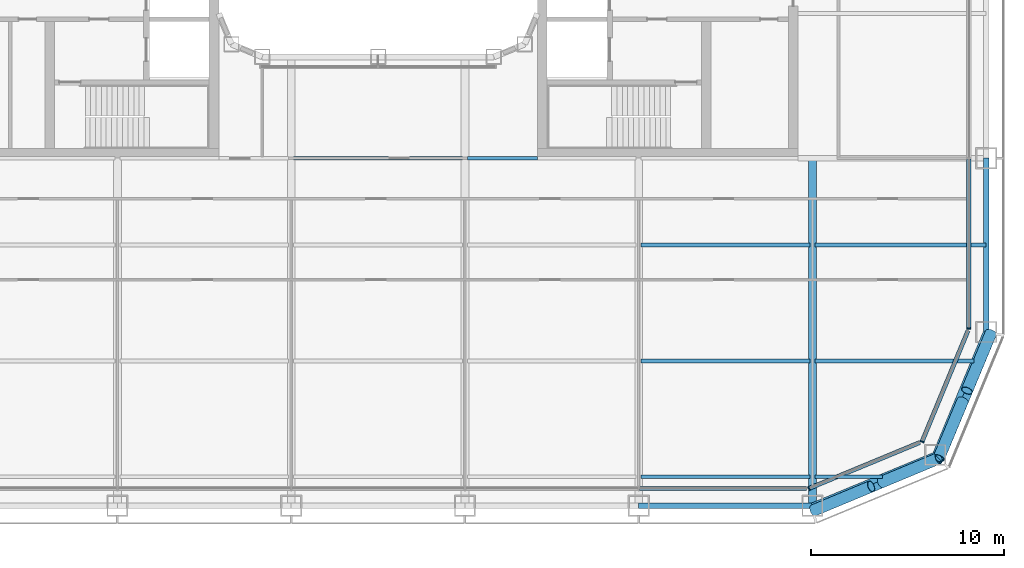
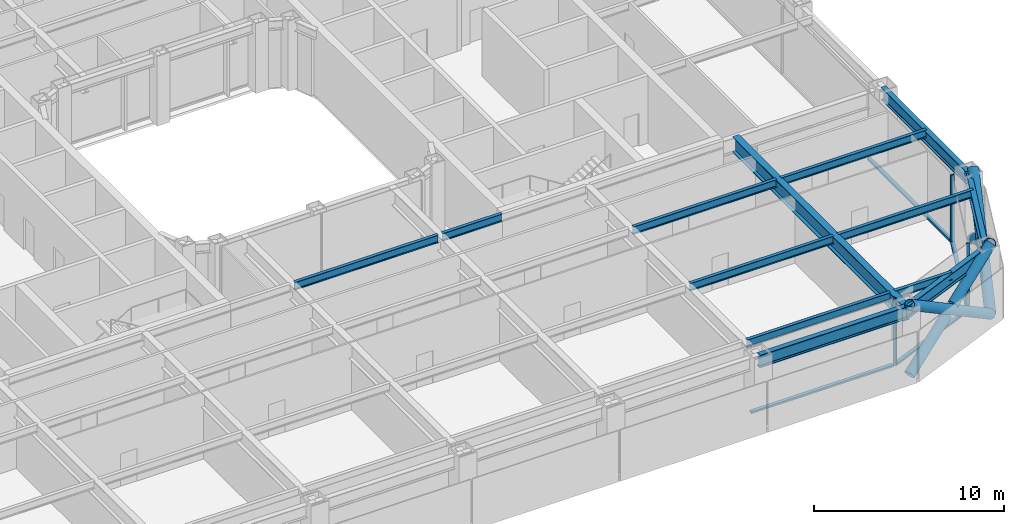
# One storey, part 4 of 24: 13 beams, 13 members, 4 elements without a shape of their own.
"""IFC4 building model written with IfcOpenShell, lengths in metres."""

from ifc_helpers import new_model, si_unit, direction, frame, origin, origin_2d, place, context, subcontext, project, spatial, rectangle, hollow_circle, i_section, extrude, material, layer, layer_set, material_profile, profile_set, type_object, element, aggregate, save


model = new_model("IFC4")

# Units and contexts
model_context = context("Model", 3, precision=1e-05, world=origin(), true_north=direction((0.0, 1.0)))
body_context = subcontext(model_context, "Body", "Model", "MODEL_VIEW")
ifc_project = project(units=[si_unit("LENGTHUNIT", "METRE"), si_unit("AREAUNIT", "SQUARE_METRE"), si_unit("VOLUMEUNIT", "CUBIC_METRE"), si_unit("PLANEANGLEUNIT", "RADIAN"), si_unit("MASSUNIT", "GRAM", prefix="KILO")], contexts=[model_context])

# Site, building, storey
site_placement = place(None, origin())
site = spatial("IfcSite", under=ifc_project, at=site_placement, CompositionType="ELEMENT")
building_placement = place(site_placement, origin())
building = spatial("IfcBuilding", under=site, at=building_placement, Name="Siwar Civic Tower", CompositionType="ELEMENT")
storey_placement = place(building_placement, frame((0.0, 0.0, 22.199951171875)))
storey = spatial("IfcBuildingStorey", under=building, at=storey_placement, Name="L04", CompositionType="ELEMENT", Elevation=22.199951171875)

# Curtain wall, member
ifc_material_1 = material(Name="Aluminium clad insulated panel", Category="aluminium")
ifc_layer_1 = layer(ifc_material_1, 0.219970703125)
ifc_layer_set_1 = layer_set([ifc_layer_1], Name="Aluminium clad insulated panel")
curtain_wall_type_1 = type_object("IfcCurtainWallType", Name="ENV-CW-AX", PredefinedType="NOTDEFINED", material=ifc_layer_set_1)
curtain_wall_1_placement = place(storey_placement, origin())
curtain_wall_1 = element("IfcCurtainWall", 1, at=curtain_wall_1_placement, inside=storey, type_object=curtain_wall_type_1, Name="Curtain wall A SE1", PredefinedType="NOTDEFINED")
ifc_material_2 = material(Name="Aluminium 6063-T6", Category="aluminium")
ifc_material_profile_1 = material_profile(ifc_material_2, rectangle(XDim=0.219970703125, YDim=0.070068359375, at=origin_2d()), Name="AL 220x70")
ifc_profile_set_1 = profile_set([ifc_material_profile_1], Name="Aluminium 6063-T6")
member_type_1 = type_object("IfcMemberType", Name="ENV-MULLION-A", PredefinedType="MULLION", material=ifc_profile_set_1)
member_1_placement = place(storey_placement, frame((22.321044921875, -30.60009765625, 0.0), z_axis=(0.0, 0.0, 1.0), x_axis=(-0.382683432365, 0.923879532511, 0.0)))
member_1 = element("IfcMember", 2, at=member_1_placement, type_object=member_type_1, Name="Mullion A SE1 1", PredefinedType="MULLION", context=body_context, shape_type="SweptSolid", body=[
    extrude(rectangle(XDim=0.219970703125, YDim=0.070068359375, at=origin_2d()), origin(), (0.0, 0.0, 1.0), 4.35009765625),
])

curtain_wall_2_placement = place(storey_placement, origin())
curtain_wall_2 = element("IfcCurtainWall", 3, at=curtain_wall_2_placement, inside=storey, type_object=curtain_wall_type_1, Name="Curtain wall A SE2", PredefinedType="NOTDEFINED")
member_2_placement = place(storey_placement, frame((28.175048828125, -28.175048828125, 0.0), z_axis=(0.0, 0.0, 1.0), x_axis=(-0.923879532511, 0.382683432365, 0.0)))
member_2 = element("IfcMember", 4, at=member_2_placement, type_object=member_type_1, Name="Mullion A SE2 1", PredefinedType="MULLION", context=body_context, shape_type="SweptSolid", body=[
    extrude(rectangle(XDim=0.219970703125, YDim=0.070068359375, at=origin_2d()), origin(), (0.0, 0.0, 1.0), 4.35009765625),
])

ifc_material_3 = material(Name="Aluminium and glass", Category="aluminium")
ifc_layer_2 = layer(ifc_material_3, 0.219970703125)
ifc_layer_set_2 = layer_set([ifc_layer_2], Name="Aluminium and glass")
curtain_wall_type_2 = type_object("IfcCurtainWallType", Name="ENV-CW-A", PredefinedType="NOTDEFINED", material=ifc_layer_set_2)
curtain_wall_3_placement = place(storey_placement, origin())
curtain_wall_3 = element("IfcCurtainWall", 5, at=curtain_wall_3_placement, inside=storey, type_object=curtain_wall_type_2, Name="Curtain wall A E", PredefinedType="NOTDEFINED")
member_3_placement = place(storey_placement, frame((30.60009765625, -22.321044921875, 0.0), z_axis=(0.0, 0.0, 1.0), x_axis=(-1.0, 0.0, 0.0)))
member_3 = element("IfcMember", 6, at=member_3_placement, type_object=member_type_1, Name="Mullion A E 1", PredefinedType="MULLION", context=body_context, shape_type="SweptSolid", body=[
    extrude(rectangle(XDim=0.219970703125, YDim=0.070068359375, at=origin_2d()), origin(), (0.0, 0.0, 1.0), 4.35009765625),
])

curtain_wall_4_placement = place(storey_placement, origin())
curtain_wall_4 = element("IfcCurtainWall", 7, at=curtain_wall_4_placement, inside=storey, type_object=curtain_wall_type_2, Name="Curtain wall A S", PredefinedType="NOTDEFINED")
ifc_material_4 = material(Name="Aluminium 6063-T6", Category="aluminium")
ifc_material_profile_2 = material_profile(ifc_material_4, rectangle(XDim=0.219970703125, YDim=0.1201171875, at=origin_2d()), Name="AL 220x120")
ifc_profile_set_2 = profile_set([ifc_material_profile_2], Name="Aluminium 6063-T6")
member_type_2 = type_object("IfcMemberType", Name="ENV-TRANSOM-A", PredefinedType="USERDEFINED", material=ifc_profile_set_2)
member_4_placement = place(storey_placement, frame((13.534912109375, -30.60009765625, 0.06005859375), z_axis=(1.0, 0.0, 0.0), x_axis=(0.0, 1.0, 0.0)))
member_4 = element("IfcMember", 8, at=member_4_placement, type_object=member_type_2, Name="Transom A S 5", ObjectType="TRANSOM", PredefinedType="USERDEFINED", context=body_context, shape_type="SweptSolid", body=[
    extrude(rectangle(XDim=0.219970703125, YDim=0.1201171875, at=origin_2d()), origin(), (0.0, 0.0, 1.0), 8.66357421875),
])
aggregate(curtain_wall_4, [member_4])

# Member
member_5_placement = place(storey_placement, frame((22.353271484375, -30.586669921875, 0.06005859375), z_axis=(0.923873326341, 0.382698415042, 0.0), x_axis=(-0.382698415042, 0.923873326341, 0.0)))
member_5 = element("IfcMember", 9, at=member_5_placement, type_object=member_type_2, Name="Transom A SE1 1", ObjectType="TRANSOM", PredefinedType="USERDEFINED", context=body_context, shape_type="SweptSolid", body=[
    extrude(rectangle(XDim=0.219970703125, YDim=0.1201171875, at=origin_2d()), origin(), (0.0, 0.0, 1.0), 6.17919921875),
])

aggregate(curtain_wall_1, [member_1, member_5])

member_6_placement = place(storey_placement, frame((28.1884765625, -28.142822265625, 0.06005859375), z_axis=(0.382698415042, 0.923873326341, 0.0), x_axis=(-0.923873326341, 0.382698415042, 0.0)))
member_6 = element("IfcMember", 10, at=member_6_placement, type_object=member_type_2, Name="Transom A SE2 1", ObjectType="TRANSOM", PredefinedType="USERDEFINED", context=body_context, shape_type="SweptSolid", body=[
    extrude(rectangle(XDim=0.219970703125, YDim=0.1201171875, at=origin_2d()), origin(), (0.0, 0.0, 1.0), 6.17919921875),
])

aggregate(curtain_wall_2, [member_2, member_6])

member_7_placement = place(storey_placement, frame((30.60009765625, -22.285888671875, 0.06005859375), z_axis=(0.0, 1.0, 0.0), x_axis=(-1.0, 0.0, 0.0)))
member_7 = element("IfcMember", 11, at=member_7_placement, type_object=member_type_2, Name="Transom A E 1", ObjectType="TRANSOM", PredefinedType="USERDEFINED", context=body_context, shape_type="SweptSolid", body=[
    extrude(rectangle(XDim=0.219970703125, YDim=0.1201171875, at=origin_2d()), origin(), (0.0, 0.0, 1.0), 8.7509765625),
])

aggregate(curtain_wall_3, [member_3, member_7])

# Members
ifc_material_5 = material(Name="Steel S355", Category="steel")
ifc_material_profile_3 = material_profile(ifc_material_5, hollow_circle(Radius=0.304931640625, WallThickness=0.030029296875, at=origin_2d()), Name="CHS610x30")
ifc_profile_set_3 = profile_set([ifc_material_profile_3], Name="Steel S355")
member_type_3 = type_object("IfcMemberType", Name="STR-BR-CHS610x30", PredefinedType="BRACE", material=ifc_profile_set_3)
member_8_placement = place(storey_placement, frame((29.040771484375, -29.040771484375, 0.0), z_axis=(0.323905527954, 0.777554562952, 0.538975055633), x_axis=(-0.923108759191, 0.384538969033, 0.0)))
element("IfcMember", 12, at=member_8_placement, inside=storey, type_object=member_type_3, Name="L04/brc/ASE1-3-0-1", PredefinedType="BRACE", context=body_context, shape_type="SweptSolid", body=[
    extrude(hollow_circle(Radius=0.304931640625, WallThickness=0.030029296875, at=origin_2d()), origin(), (0.0, 0.0, 1.0), 8.34912109375),
])
member_9_placement = place(storey_placement, frame((31.7451171875, -22.548828125, 0.0), z_axis=(-0.323882123145, -0.777533059308, 0.539020140617), x_axis=(0.923114847559, -0.384524353215, 0.0)))
element("IfcMember", 13, at=member_9_placement, inside=storey, type_object=member_type_3, Name="L04/brc/ASE1-3-0-2", PredefinedType="BRACE", context=body_context, shape_type="SweptSolid", body=[
    extrude(hollow_circle(Radius=0.304931640625, WallThickness=0.030029296875, at=origin_2d()), origin(), (0.0, 0.0, 1.0), 3.843505859375),
])
member_10_placement = place(storey_placement, frame((30.285888671875, -26.052001953125, 2.428466796875), z_axis=(-0.323934068367, -0.777568797048, 0.538937366685), x_axis=(0.923099230484, -0.384561842466, 0.0)))
element("IfcMember", 14, at=member_10_placement, inside=storey, type_object=member_type_3, Name="L04/brc/ASE1-3-0-3", PredefinedType="BRACE", context=body_context, shape_type="SweptSolid", body=[
    extrude(hollow_circle(Radius=0.304931640625, WallThickness=0.030029296875, at=origin_2d()), origin(), (0.0, 0.0, 1.0), 3.84375),
])
member_11_placement = place(storey_placement, frame((29.040771484375, -29.040771484375, 0.0), z_axis=(-0.777554562952, -0.323905527954, 0.538975055633), x_axis=(0.384538969033, -0.923108759191, 0.0)))
element("IfcMember", 15, at=member_11_placement, inside=storey, type_object=member_type_3, Name="L04/brc/ASE1-3-0-0", PredefinedType="BRACE", context=body_context, shape_type="SweptSolid", body=[
    extrude(hollow_circle(Radius=0.304931640625, WallThickness=0.030029296875, at=origin_2d()), origin(), (0.0, 0.0, 1.0), 8.34912109375),
])
member_12_placement = place(storey_placement, frame((22.548828125, -31.7451171875, 0.0), z_axis=(0.777533059308, 0.323882123145, 0.539020140617), x_axis=(-0.384524353215, 0.923114847559, 0.0)))
element("IfcMember", 16, at=member_12_placement, inside=storey, type_object=member_type_3, Name="L04/brc/ASE1-3-0-4", PredefinedType="BRACE", context=body_context, shape_type="SweptSolid", body=[
    extrude(hollow_circle(Radius=0.304931640625, WallThickness=0.030029296875, at=origin_2d()), origin(), (0.0, 0.0, 1.0), 3.843505859375),
])
member_13_placement = place(storey_placement, frame((26.052001953125, -30.285888671875, 2.428466796875), z_axis=(0.777568797048, 0.323934068367, 0.538937366685), x_axis=(-0.384561842466, 0.923099230484, 0.0)))
element("IfcMember", 17, at=member_13_placement, inside=storey, type_object=member_type_3, Name="L04/brc/ASE1-3-0-5", PredefinedType="BRACE", context=body_context, shape_type="SweptSolid", body=[
    extrude(hollow_circle(Radius=0.304931640625, WallThickness=0.030029296875, at=origin_2d()), origin(), (0.0, 0.0, 1.0), 3.84375),
])

# Beams
ifc_material_6 = material(Name="Steel S355", Category="steel")
ifc_material_profile_4 = material_profile(ifc_material_6, i_section(OverallWidth=0.199951171875, OverallDepth=0.5, WebThickness=0.01025390625, FlangeThickness=0.01611328125, FilletRadius=0.02099609375, at=origin_2d()), Name="IPE500")
ifc_profile_set_4 = profile_set([ifc_material_profile_4], Name="Steel S355")
beam_type_1 = type_object("IfcBeamType", Name="STR-FB-IPE500", PredefinedType="JOIST", material=ifc_profile_set_4)
beam_1_placement = place(storey_placement, frame((13.6298828125, -30.0, 4.10009765625), z_axis=(1.0, 0.0, 0.0), x_axis=(0.0, 1.0, 0.0)))
element("IfcBeam", 18, at=beam_1_placement, inside=storey, type_object=beam_type_1, Name="L04/bm/F006", PredefinedType="JOIST", context=body_context, shape_type="SweptSolid", body=[
    extrude(i_section(OverallWidth=0.199951171875, OverallDepth=0.5, WebThickness=0.01025390625, FlangeThickness=0.01611328125, FilletRadius=0.02099609375, at=origin_2d()), origin(), (0.0, 0.0, 1.0), 8.740234375),
])
beam_2_placement = place(storey_placement, frame((22.6298828125, -30.0, 4.10009765625), z_axis=(1.0, 0.0, 0.0), x_axis=(0.0, 1.0, 0.0)))
element("IfcBeam", 19, at=beam_2_placement, inside=storey, type_object=beam_type_1, Name="L04/bm/F007", PredefinedType="JOIST", context=body_context, shape_type="SweptSolid", body=[
    extrude(i_section(OverallWidth=0.199951171875, OverallDepth=0.5, WebThickness=0.01025390625, FlangeThickness=0.01611328125, FilletRadius=0.02099609375, at=origin_2d()), origin(), (0.0, 0.0, 1.0), 3.491455078125),
])
beam_3_placement = place(storey_placement, frame((13.6298828125, -24.0, 4.10009765625), z_axis=(1.0, 0.0, 0.0), x_axis=(0.0, 1.0, 0.0)))
element("IfcBeam", 20, at=beam_3_placement, inside=storey, type_object=beam_type_1, Name="L04/bm/F013", PredefinedType="JOIST", context=body_context, shape_type="SweptSolid", body=[
    extrude(i_section(OverallWidth=0.199951171875, OverallDepth=0.5, WebThickness=0.01025390625, FlangeThickness=0.01611328125, FilletRadius=0.02099609375, at=origin_2d()), origin(), (0.0, 0.0, 1.0), 8.740234375),
])
beam_4_placement = place(storey_placement, frame((22.6298828125, -24.0, 4.10009765625), z_axis=(1.0, 0.0, 0.0), x_axis=(0.0, 1.0, 0.0)))
element("IfcBeam", 21, at=beam_4_placement, inside=storey, type_object=beam_type_1, Name="L04/bm/F014", PredefinedType="JOIST", context=body_context, shape_type="SweptSolid", body=[
    extrude(i_section(OverallWidth=0.199951171875, OverallDepth=0.5, WebThickness=0.01025390625, FlangeThickness=0.01611328125, FilletRadius=0.02099609375, at=origin_2d()), origin(), (0.0, 0.0, 1.0), 8.248779296875),
])
beam_5_placement = place(storey_placement, frame((13.6298828125, -18.0, 4.10009765625), z_axis=(1.0, 0.0, 0.0), x_axis=(0.0, 1.0, 0.0)))
element("IfcBeam", 22, at=beam_5_placement, inside=storey, type_object=beam_type_1, Name="L04/bm/F020", PredefinedType="JOIST", context=body_context, shape_type="SweptSolid", body=[
    extrude(i_section(OverallWidth=0.199951171875, OverallDepth=0.5, WebThickness=0.01025390625, FlangeThickness=0.01611328125, FilletRadius=0.02099609375, at=origin_2d()), origin(), (0.0, 0.0, 1.0), 8.740234375),
])
beam_6_placement = place(storey_placement, frame((22.6298828125, -18.0, 4.10009765625), z_axis=(1.0, 0.0, 0.0), x_axis=(0.0, 1.0, 0.0)))
element("IfcBeam", 23, at=beam_6_placement, inside=storey, type_object=beam_type_1, Name="L04/bm/F021", PredefinedType="JOIST", context=body_context, shape_type="SweptSolid", body=[
    extrude(i_section(OverallWidth=0.199951171875, OverallDepth=0.5, WebThickness=0.01025390625, FlangeThickness=0.01611328125, FilletRadius=0.02099609375, at=origin_2d()), origin(), (0.0, 0.0, 1.0), 8.8701171875),
])
beam_7_placement = place(storey_placement, frame((-4.3701171875, -13.5, 4.10009765625), z_axis=(1.0, 0.0, 0.0), x_axis=(0.0, 1.0, 0.0)))
element("IfcBeam", 24, at=beam_7_placement, inside=storey, type_object=beam_type_1, Name="L04/bm/F026", PredefinedType="JOIST", context=body_context, shape_type="SweptSolid", body=[
    extrude(i_section(OverallWidth=0.199951171875, OverallDepth=0.5, WebThickness=0.01025390625, FlangeThickness=0.01611328125, FilletRadius=0.02099609375, at=origin_2d()), origin(), (0.0, 0.0, 1.0), 8.740234375),
])
beam_8_placement = place(storey_placement, frame((4.6298828125, -13.5, 4.10009765625), z_axis=(1.0, 0.0, 0.0), x_axis=(0.0, 1.0, 0.0)))
element("IfcBeam", 25, at=beam_8_placement, inside=storey, type_object=beam_type_1, Name="L04/bm/F027", PredefinedType="JOIST", context=body_context, shape_type="SweptSolid", body=[
    extrude(i_section(OverallWidth=0.199951171875, OverallDepth=0.5, WebThickness=0.01025390625, FlangeThickness=0.01611328125, FilletRadius=0.02099609375, at=origin_2d()), origin(), (0.0, 0.0, 1.0), 3.6201171875),
])
ifc_material_7 = material(Name="Steel S355", Category="steel")
ifc_material_profile_5 = material_profile(ifc_material_7, i_section(OverallWidth=0.39990234375, OverallDepth=1.0, WebThickness=0.01611328125, FlangeThickness=0.0400390625, at=origin_2d()), Name="PG1000x400x16x40")
ifc_profile_set_5 = profile_set([ifc_material_profile_5], Name="Steel S355")
beam_type_2 = type_object("IfcBeamType", Name="STR-PG-PG1000x400x16x40", PredefinedType="BEAM", material=ifc_profile_set_5)
beam_9_placement = place(storey_placement, frame((22.5, -31.5, 3.85009765625), z_axis=(0.0, 1.0, 0.0), x_axis=(-1.0, 0.0, 0.0)))
element("IfcBeam", 26, at=beam_9_placement, inside=storey, type_object=beam_type_2, Name="L04/bm/G11", PredefinedType="BEAM", context=body_context, shape_type="SweptSolid", body=[
    extrude(i_section(OverallWidth=0.39990234375, OverallDepth=1.0, WebThickness=0.01611328125, FlangeThickness=0.0400390625, at=origin_2d()), origin(), (0.0, 0.0, 1.0), 18.0),
])
ifc_material_8 = material(Name="Steel S355", Category="steel")
ifc_material_profile_6 = material_profile(ifc_material_8, i_section(OverallWidth=0.302978515625, OverallDepth=0.81396484375, WebThickness=0.02099609375, FlangeThickness=0.0400390625, FilletRadius=0.030029296875, at=origin_2d()), Name="HEM800")
ifc_profile_set_6 = profile_set([ifc_material_profile_6], Name="Steel S355")
beam_type_3 = type_object("IfcBeamType", Name="STR-SB-HEM800", PredefinedType="BEAM", material=ifc_profile_set_6)
beam_10_placement = place(storey_placement, frame((13.5, -31.5, 3.943115234375), z_axis=(1.0, 0.0, 0.0), x_axis=(0.0, 1.0, 0.0)))
element("IfcBeam", 27, at=beam_10_placement, inside=storey, type_object=beam_type_3, Name="L04/bm/SS-4", PredefinedType="BEAM", context=body_context, shape_type="SweptSolid", body=[
    extrude(i_section(OverallWidth=0.302978515625, OverallDepth=0.81396484375, WebThickness=0.02099609375, FlangeThickness=0.0400390625, FilletRadius=0.030029296875, at=origin_2d()), origin(), (0.0, 0.0, 1.0), 9.0),
])
for number, where, z_axis, x_axis, name in (
    (28, (22.5, -31.5, 3.943115234375), (0.923883353507, 0.382674207535, 0.0), (-0.382674207535, 0.923883353507, 0.0), "L04/bm/SSE1-0"),
    (29, (28.864013671875, -28.864013671875, 3.943115234375), (0.382674207535, 0.923883353507, 0.0), (-0.923883353507, 0.382674207535, 0.0), "L04/bm/SSE2-0"),
):
    element("IfcBeam", number, at=place(storey_placement, frame(where, z_axis=z_axis, x_axis=x_axis)), inside=storey, type_object=beam_type_3, Name=name, PredefinedType="BEAM", context=body_context, shape_type="SweptSolid", body=[
        extrude(i_section(OverallWidth=0.302978515625, OverallDepth=0.81396484375, WebThickness=0.02099609375, FlangeThickness=0.0400390625, FilletRadius=0.030029296875, at=origin_2d()), origin(), (0.0, 0.0, 1.0), 6.888427734375),
    ])
beam_11_placement = place(storey_placement, frame((31.5, -22.5, 3.943115234375), z_axis=(0.0, 1.0, 0.0), x_axis=(-1.0, 0.0, 0.0)))
element("IfcBeam", 30, at=beam_11_placement, inside=storey, type_object=beam_type_3, Name="L04/bm/SE-0", PredefinedType="BEAM", context=body_context, shape_type="SweptSolid", body=[
    extrude(i_section(OverallWidth=0.302978515625, OverallDepth=0.81396484375, WebThickness=0.02099609375, FlangeThickness=0.0400390625, FilletRadius=0.030029296875, at=origin_2d()), origin(), (0.0, 0.0, 1.0), 9.0),
])

save(model, "model.ifc")
